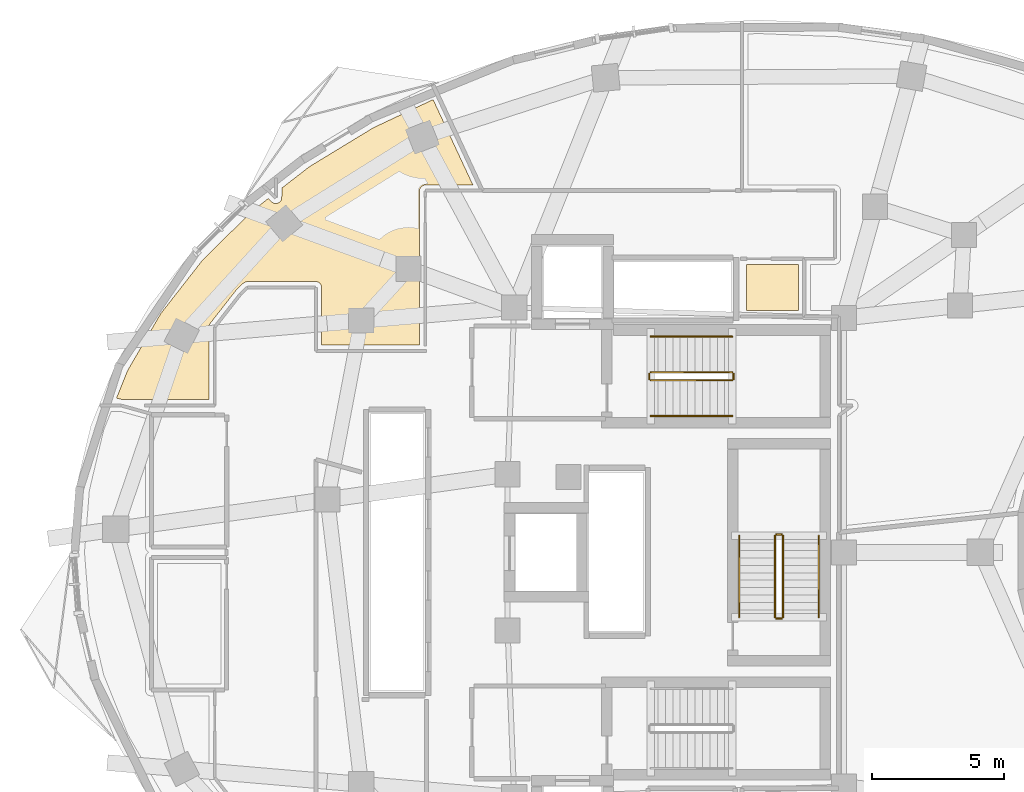
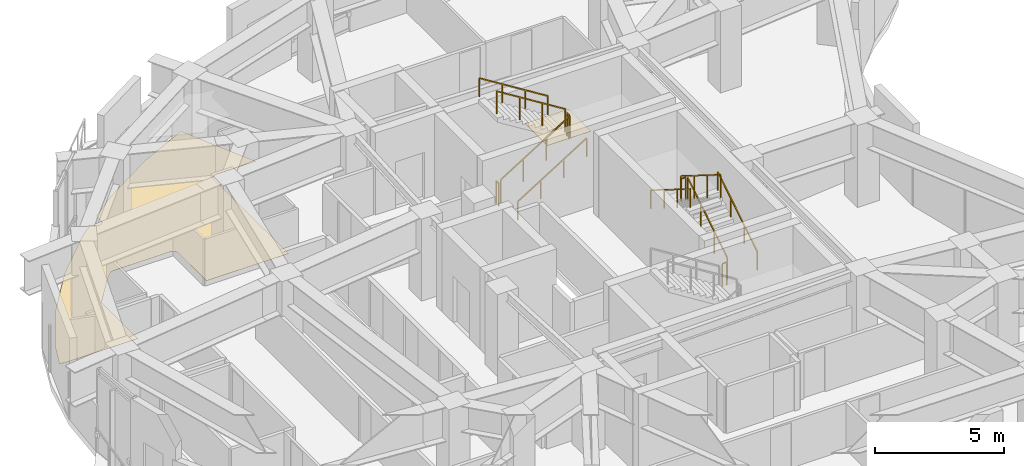
# One storey, part 12 of 13: 12 railings, 2 coverings.
"""IFC4 building model written with IfcOpenShell, lengths in metres."""

from ifc_helpers import new_model, si_unit, direction, frame, origin, origin_2d, place, context, subcontext, project, spatial, polyline, rectangle, outline, extrude, material, layer, layer_set, type_object, element, save


model = new_model("IFC4")

# Units and contexts
model_context = context("Model", 3, precision=1e-05, world=origin(), true_north=direction((0.0, 1.0)))
body_context = subcontext(model_context, "Body", "Model", "MODEL_VIEW")
ifc_project = project(units=[si_unit("LENGTHUNIT", "METRE"), si_unit("AREAUNIT", "SQUARE_METRE"), si_unit("VOLUMEUNIT", "CUBIC_METRE"), si_unit("PLANEANGLEUNIT", "RADIAN"), si_unit("MASSUNIT", "GRAM", prefix="KILO")], contexts=[model_context])

# Site, building, storey
site_placement = place(None, origin())
site = spatial("IfcSite", under=ifc_project, at=site_placement, CompositionType="ELEMENT")
building_placement = place(site_placement, origin())
building = spatial("IfcBuilding", under=site, at=building_placement, Name="Korentha Bioscience Tower", CompositionType="ELEMENT")
storey_placement = place(building_placement, frame((0.0, 0.0, 208.800048828125)))
storey = spatial("IfcBuildingStorey", under=building, at=storey_placement, Name="L48", CompositionType="ELEMENT", Elevation=208.800048828125)

# Covering
ifc_material_1 = material(Name="Vitrified Porcelain Tile", Category="ceramic")
ifc_layer_1 = layer(ifc_material_1, 0.014892578125, Name="Vitrified Porcelain Tile")
ifc_layer_set_1 = layer_set([ifc_layer_1], Name="Vitrified Porcelain Tile (FL-CER)")
covering_type_1 = type_object("IfcCoveringType", Name="Anti-Slip Ceramic Wet-Room Tile Flooring 15", PredefinedType="FLOORING", material=ifc_layer_set_1)
covering_1_placement = place(storey_placement, origin())
element("IfcCovering", 1, at=covering_1_placement, inside=storey, type_object=covering_type_1, Name="L48 Accessible Staff WC Floor Finish", PredefinedType="FLOORING", context=body_context, shape_type="SweptSolid", body=[
    extrude(outline(polyline([(33.8701171875, 36.1298828125), (33.8701171875, 37.8701171875), (35.830078125, 37.8701171875), (35.830078125, 36.1298828125), (33.8701171875, 36.1298828125)])), origin(), (0.0, 0.0, 1.0), 0.014892578125),
])

# Railings
ifc_material_2 = material(Name="Stainless Steel 304", Category="steel")
railing_type_1 = type_object("IfcRailingType", Name="Brushed Stainless Stair Handrail 900", PredefinedType="HANDRAIL", material=ifc_material_2)
railing_1_placement = place(storey_placement, frame((30.25, 32.14990234375, 0.175048828125)))
element("IfcRailing", 2, at=railing_1_placement, inside=storey, type_object=railing_type_1, Name="L48 ST-1 stair handrail 1", PredefinedType="HANDRAIL", context=body_context, shape_type="SweptSolid", body=[
    extrude(rectangle(XDim=0.048095703125, YDim=0.048095703125, at=origin_2d()), frame((0.0, 0.0, 0.8759765625), z_axis=(0.848028513186, 0.0, 0.529950602248), x_axis=(0.0, 1.0, 0.0)), (0.0, 0.0, 1.0), 3.632080078125),
    extrude(rectangle(XDim=0.0419921875, YDim=0.0419921875, at=origin_2d()), origin(), (0.0, 0.0, 1.0), 0.851806640625),
    extrude(rectangle(XDim=0.0419921875, YDim=0.0419921875, at=origin_2d()), frame((1.026611328125, 0.0, 0.6416015625)), (0.0, 0.0, 1.0), 0.851806640625),
    extrude(rectangle(XDim=0.0419921875, YDim=0.0419921875, at=origin_2d()), frame((2.053466796875, 0.0, 1.283203125)), (0.0, 0.0, 1.0), 0.851806640625),
    extrude(rectangle(XDim=0.0419921875, YDim=0.0419921875, at=origin_2d()), frame((3.080078125, 0.0, 1.9248046875)), (0.0, 0.0, 1.0), 0.851806640625),
])
railing_2_placement = place(storey_placement, frame((33.330078125, 35.14990234375, 2.27490234375)))
element("IfcRailing", 3, at=railing_2_placement, inside=storey, type_object=railing_type_1, Name="L48 ST-1 stair handrail 2", PredefinedType="HANDRAIL", context=body_context, shape_type="SweptSolid", body=[
    extrude(rectangle(XDim=0.048095703125, YDim=0.048095703125, at=origin_2d()), frame((0.0, 0.0, 0.8759765625), z_axis=(-0.847998304005, 0.0, 0.529998940003), x_axis=(0.0, -1.0, 0.0)), (0.0, 0.0, 1.0), 3.632080078125),
    extrude(rectangle(XDim=0.0419921875, YDim=0.0419921875, at=origin_2d()), origin(), (0.0, 0.0, 1.0), 0.851806640625),
    extrude(rectangle(XDim=0.0419921875, YDim=0.0419921875, at=origin_2d()), frame((-1.026611328125, 0.0, 0.6416015625)), (0.0, 0.0, 1.0), 0.851806640625),
    extrude(rectangle(XDim=0.0419921875, YDim=0.0419921875, at=origin_2d()), frame((-2.053466796875, 0.0, 1.283447265625)), (0.0, 0.0, 1.0), 0.851806640625),
    extrude(rectangle(XDim=0.0419921875, YDim=0.0419921875, at=origin_2d()), frame((-3.080078125, 0.0, 1.925048828125)), (0.0, 0.0, 1.0), 0.851806640625),
])
railing_3_placement = place(storey_placement, frame((36.60009765625, 24.550048828125, 0.175048828125)))
element("IfcRailing", 4, at=railing_3_placement, inside=storey, type_object=railing_type_1, Name="L48 ST-3 stair handrail 1", PredefinedType="HANDRAIL", context=body_context, shape_type="SweptSolid", body=[
    extrude(rectangle(XDim=0.048095703125, YDim=0.048095703125, at=origin_2d()), frame((0.0, 0.0, 0.8759765625), z_axis=(0.0, 0.848009633417, 0.529980812513), x_axis=(-1.0, 0.0, 0.0)), (0.0, 0.0, 1.0), 3.6318359375),
    extrude(rectangle(XDim=0.0419921875, YDim=0.0419921875, at=origin_2d()), origin(), (0.0, 0.0, 1.0), 0.851806640625),
    extrude(rectangle(XDim=0.0419921875, YDim=0.0419921875, at=origin_2d()), frame((0.0, 1.026611328125, 0.6416015625)), (0.0, 0.0, 1.0), 0.851806640625),
    extrude(rectangle(XDim=0.0419921875, YDim=0.0419921875, at=origin_2d()), frame((0.0, 2.05322265625, 1.283203125)), (0.0, 0.0, 1.0), 0.851806640625),
    extrude(rectangle(XDim=0.0419921875, YDim=0.0419921875, at=origin_2d()), frame((0.0, 3.079833984375, 1.9248046875)), (0.0, 0.0, 1.0), 0.851806640625),
])
railing_4_placement = place(storey_placement, frame((33.60009765625, 27.6298828125, 2.27490234375)))
element("IfcRailing", 5, at=railing_4_placement, inside=storey, type_object=railing_type_1, Name="L48 ST-3 stair handrail 2", PredefinedType="HANDRAIL", context=body_context, shape_type="SweptSolid", body=[
    extrude(rectangle(XDim=0.048095703125, YDim=0.048095703125, at=origin_2d()), frame((0.0, 0.0, 0.8759765625), z_axis=(0.0, -0.847979421464, 0.530029150871), x_axis=(1.0, 0.0, 0.0)), (0.0, 0.0, 1.0), 3.632080078125),
    extrude(rectangle(XDim=0.0419921875, YDim=0.0419921875, at=origin_2d()), origin(), (0.0, 0.0, 1.0), 0.851806640625),
    extrude(rectangle(XDim=0.0419921875, YDim=0.0419921875, at=origin_2d()), frame((0.0, -1.026611328125, 0.6416015625)), (0.0, 0.0, 1.0), 0.851806640625),
    extrude(rectangle(XDim=0.0419921875, YDim=0.0419921875, at=origin_2d()), frame((0.0, -2.05322265625, 1.283447265625)), (0.0, 0.0, 1.0), 0.851806640625),
    extrude(rectangle(XDim=0.0419921875, YDim=0.0419921875, at=origin_2d()), frame((0.0, -3.079833984375, 1.925048828125)), (0.0, 0.0, 1.0), 0.851806640625),
])
ifc_material_3 = material(Name="Painted Steel S275", Category="steel")
railing_type_2 = type_object("IfcRailingType", Name="Painted Steel Stair Well Guardrail 1100", PredefinedType="GUARDRAIL", material=ifc_material_3)
railing_5_placement = place(storey_placement, frame((30.25, 33.5, 0.175048828125)))
element("IfcRailing", 6, at=railing_5_placement, inside=storey, type_object=railing_type_2, Name="L48 ST-1 stair guard 1", PredefinedType="GUARDRAIL", context=body_context, shape_type="SweptSolid", body=[
    extrude(rectangle(XDim=0.048095703125, YDim=0.048095703125, at=origin_2d()), frame((0.0, 0.0, 1.076171875), z_axis=(0.848028513186, 0.0, 0.529950602248), x_axis=(0.0, 1.0, 0.0)), (0.0, 0.0, 1.0), 3.632080078125),
    extrude(rectangle(XDim=0.0419921875, YDim=0.0419921875, at=origin_2d()), origin(), (0.0, 0.0, 1.0), 1.052001953125),
    extrude(rectangle(XDim=0.0419921875, YDim=0.0419921875, at=origin_2d()), frame((1.026611328125, 0.0, 0.6416015625)), (0.0, 0.0, 1.0), 1.052001953125),
    extrude(rectangle(XDim=0.0419921875, YDim=0.0419921875, at=origin_2d()), frame((2.053466796875, 0.0, 1.283203125)), (0.0, 0.0, 1.0), 1.052001953125),
    extrude(rectangle(XDim=0.0419921875, YDim=0.0419921875, at=origin_2d()), frame((3.080078125, 0.0, 1.9248046875)), (0.0, 0.0, 1.0), 1.052001953125),
])
railing_6_placement = place(storey_placement, frame((33.3798828125, 33.550048828125, 2.099853515625)))
element("IfcRailing", 7, at=railing_6_placement, inside=storey, type_object=railing_type_2, Name="L48 ST-1 stair guard 2", PredefinedType="GUARDRAIL", context=body_context, shape_type="SweptSolid", body=[
    extrude(rectangle(XDim=0.048095703125, YDim=0.048095703125, at=origin_2d()), frame((0.0, 0.0, 1.076171875), z_axis=(0.0, 1.0, 0.0), x_axis=(-1.0, 0.0, 0.0)), (0.0, 0.0, 1.0), 0.199951171875),
    extrude(rectangle(XDim=0.0419921875, YDim=0.0419921875, at=origin_2d()), origin(), (0.0, 0.0, 1.0), 1.052001953125),
    extrude(rectangle(XDim=0.0419921875, YDim=0.0419921875, at=origin_2d()), frame((0.0, 0.199951171875, 0.0)), (0.0, 0.0, 1.0), 1.052001953125),
])
railing_7_placement = place(storey_placement, frame((33.330078125, 33.800048828125, 2.27490234375)))
element("IfcRailing", 8, at=railing_7_placement, inside=storey, type_object=railing_type_2, Name="L48 ST-1 stair guard 3", PredefinedType="GUARDRAIL", context=body_context, shape_type="SweptSolid", body=[
    extrude(rectangle(XDim=0.048095703125, YDim=0.048095703125, at=origin_2d()), frame((0.0, 0.0, 1.076171875), z_axis=(-0.847998304005, 0.0, 0.529998940003), x_axis=(0.0, -1.0, 0.0)), (0.0, 0.0, 1.0), 3.632080078125),
    extrude(rectangle(XDim=0.0419921875, YDim=0.0419921875, at=origin_2d()), origin(), (0.0, 0.0, 1.0), 1.052001953125),
    extrude(rectangle(XDim=0.0419921875, YDim=0.0419921875, at=origin_2d()), frame((-1.026611328125, 0.0, 0.6416015625)), (0.0, 0.0, 1.0), 1.052001953125),
    extrude(rectangle(XDim=0.0419921875, YDim=0.0419921875, at=origin_2d()), frame((-2.053466796875, 0.0, 1.283447265625)), (0.0, 0.0, 1.0), 1.052001953125),
    extrude(rectangle(XDim=0.0419921875, YDim=0.0419921875, at=origin_2d()), frame((-3.080078125, 0.0, 1.925048828125)), (0.0, 0.0, 1.0), 1.052001953125),
])
railing_8_placement = place(storey_placement, frame((30.199951171875, 33.550048828125, 0.0)))
element("IfcRailing", 9, at=railing_8_placement, inside=storey, type_object=railing_type_2, Name="L48 ST-1 stair guard 4", PredefinedType="GUARDRAIL", context=body_context, shape_type="SweptSolid", body=[
    extrude(rectangle(XDim=0.048095703125, YDim=0.048095703125, at=origin_2d()), frame((0.0, 0.0, 1.076171875), z_axis=(0.0, 1.0, 0.0), x_axis=(-1.0, 0.0, 0.0)), (0.0, 0.0, 1.0), 0.199951171875),
    extrude(rectangle(XDim=0.0419921875, YDim=0.0419921875, at=origin_2d()), origin(), (0.0, 0.0, 1.0), 1.052001953125),
    extrude(rectangle(XDim=0.0419921875, YDim=0.0419921875, at=origin_2d()), frame((0.0, 0.199951171875, 0.0)), (0.0, 0.0, 1.0), 1.052001953125),
])
railing_9_placement = place(storey_placement, frame((35.25, 24.550048828125, 0.175048828125)))
element("IfcRailing", 10, at=railing_9_placement, inside=storey, type_object=railing_type_2, Name="L48 ST-3 stair guard 1", PredefinedType="GUARDRAIL", context=body_context, shape_type="SweptSolid", body=[
    extrude(rectangle(XDim=0.048095703125, YDim=0.048095703125, at=origin_2d()), frame((0.0, 0.0, 1.076171875), z_axis=(0.0, 0.848009633417, 0.529980812513), x_axis=(-1.0, 0.0, 0.0)), (0.0, 0.0, 1.0), 3.6318359375),
    extrude(rectangle(XDim=0.0419921875, YDim=0.0419921875, at=origin_2d()), origin(), (0.0, 0.0, 1.0), 1.052001953125),
    extrude(rectangle(XDim=0.0419921875, YDim=0.0419921875, at=origin_2d()), frame((0.0, 1.026611328125, 0.6416015625)), (0.0, 0.0, 1.0), 1.052001953125),
    extrude(rectangle(XDim=0.0419921875, YDim=0.0419921875, at=origin_2d()), frame((0.0, 2.05322265625, 1.283203125)), (0.0, 0.0, 1.0), 1.052001953125),
    extrude(rectangle(XDim=0.0419921875, YDim=0.0419921875, at=origin_2d()), frame((0.0, 3.079833984375, 1.9248046875)), (0.0, 0.0, 1.0), 1.052001953125),
])
railing_10_placement = place(storey_placement, frame((35.199951171875, 27.679931640625, 2.099853515625)))
element("IfcRailing", 11, at=railing_10_placement, inside=storey, type_object=railing_type_2, Name="L48 ST-3 stair guard 2", PredefinedType="GUARDRAIL", context=body_context, shape_type="SweptSolid", body=[
    extrude(rectangle(XDim=0.048095703125, YDim=0.048095703125, at=origin_2d()), frame((0.0, 0.0, 1.076171875), z_axis=(-1.0, 0.0, 0.0), x_axis=(0.0, -1.0, 0.0)), (0.0, 0.0, 1.0), 0.199951171875),
    extrude(rectangle(XDim=0.0419921875, YDim=0.0419921875, at=origin_2d()), origin(), (0.0, 0.0, 1.0), 1.052001953125),
    extrude(rectangle(XDim=0.0419921875, YDim=0.0419921875, at=origin_2d()), frame((-0.199951171875, 0.0, 0.0)), (0.0, 0.0, 1.0), 1.052001953125),
])
railing_11_placement = place(storey_placement, frame((34.949951171875, 27.6298828125, 2.27490234375)))
element("IfcRailing", 12, at=railing_11_placement, inside=storey, type_object=railing_type_2, Name="L48 ST-3 stair guard 3", PredefinedType="GUARDRAIL", context=body_context, shape_type="SweptSolid", body=[
    extrude(rectangle(XDim=0.048095703125, YDim=0.048095703125, at=origin_2d()), frame((0.0, 0.0, 1.076171875), z_axis=(0.0, -0.847979421464, 0.530029150871), x_axis=(1.0, 0.0, 0.0)), (0.0, 0.0, 1.0), 3.632080078125),
    extrude(rectangle(XDim=0.0419921875, YDim=0.0419921875, at=origin_2d()), origin(), (0.0, 0.0, 1.0), 1.052001953125),
    extrude(rectangle(XDim=0.0419921875, YDim=0.0419921875, at=origin_2d()), frame((0.0, -1.026611328125, 0.6416015625)), (0.0, 0.0, 1.0), 1.052001953125),
    extrude(rectangle(XDim=0.0419921875, YDim=0.0419921875, at=origin_2d()), frame((0.0, -2.05322265625, 1.283447265625)), (0.0, 0.0, 1.0), 1.052001953125),
    extrude(rectangle(XDim=0.0419921875, YDim=0.0419921875, at=origin_2d()), frame((0.0, -3.079833984375, 1.925048828125)), (0.0, 0.0, 1.0), 1.052001953125),
])
railing_12_placement = place(storey_placement, frame((35.199951171875, 24.5, 0.0)))
element("IfcRailing", 13, at=railing_12_placement, inside=storey, type_object=railing_type_2, Name="L48 ST-3 stair guard 4", PredefinedType="GUARDRAIL", context=body_context, shape_type="SweptSolid", body=[
    extrude(rectangle(XDim=0.048095703125, YDim=0.048095703125, at=origin_2d()), frame((0.0, 0.0, 1.076171875), z_axis=(-1.0, 0.0, 0.0), x_axis=(0.0, -1.0, 0.0)), (0.0, 0.0, 1.0), 0.199951171875),
    extrude(rectangle(XDim=0.0419921875, YDim=0.0419921875, at=origin_2d()), origin(), (0.0, 0.0, 1.0), 1.052001953125),
    extrude(rectangle(XDim=0.0419921875, YDim=0.0419921875, at=origin_2d()), frame((-0.199951171875, 0.0, 0.0)), (0.0, 0.0, 1.0), 1.052001953125),
])

# Covering
ifc_material_4 = material(Name="Chemical-Resistant Epoxy Resin", Category="polymer")
ifc_layer_2 = layer(ifc_material_4, 0.011962890625, Name="Chemical-Resistant Epoxy Resin")
ifc_layer_set_2 = layer_set([ifc_layer_2], Name="Chemical-Resistant Epoxy Resin (FL-EPX)")
covering_type_2 = type_object("IfcCoveringType", Name="Seamless Epoxy Laboratory Flooring 12", PredefinedType="FLOORING", material=ifc_layer_set_2)
covering_2_placement = place(storey_placement, origin())
element("IfcCovering", 14, at=covering_2_placement, inside=storey, type_object=covering_type_2, Name="L48 Colloquium Huddle Room 09 Floor Finish", PredefinedType="FLOORING", context=body_context, shape_type="SweptSolid", body=[
    extrude(outline(polyline([(10.5, 33.87158203125), (11.747314453125, 36.01513671875), (13.323486328125, 38.032958984375), (15.207275390625, 39.895263671875), (15.808837890625, 40.361572265625), (15.952392578125, 40.226318359375), (16.027099609375, 40.183837890625), (16.134765625, 40.17529296875), (16.233642578125, 40.218017578125), (16.290771484375, 40.2822265625), (16.319580078125, 40.363525390625), (16.322021484375, 40.75927734375), (17.37255859375, 41.57373046875), (19.78857421875, 43.043212890625), (22.035888671875, 44.10009765625), (23.537353515625, 40.8798828125), (21.73828125, 40.879638671875), (21.612548828125, 40.83447265625), (21.533203125, 40.72705078125), (21.52001953125, 40.64990234375), (21.52001953125, 34.830078125), (17.830078125, 34.830078125), (17.82958984375, 37.0107421875), (17.80810546875, 37.097900390625), (17.754150390625, 37.170654296875), (17.677978515625, 37.21630859375), (17.60009765625, 37.22998046875), (15.01220703125, 37.229736328125), (14.88720703125, 37.18505859375), (14.59619140625, 36.89990234375), (13.61865234375, 35.6494140625), (13.58251953125, 35.582275390625), (13.570068359375, 35.5078125), (13.570068359375, 32.77197265625), (10.300537109375, 32.77197265625), (10.079345703125, 32.827392578125), (10.5, 33.87158203125)])), origin(), (0.0, 0.0, 1.0), 0.011962890625),
])

save(model, "model.ifc")
